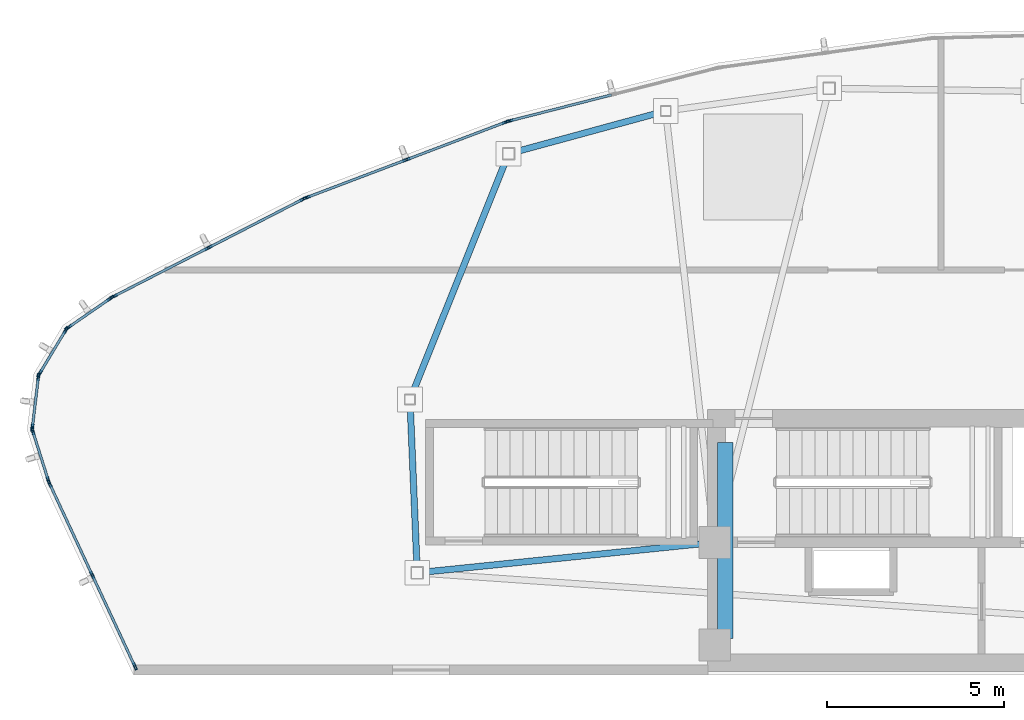
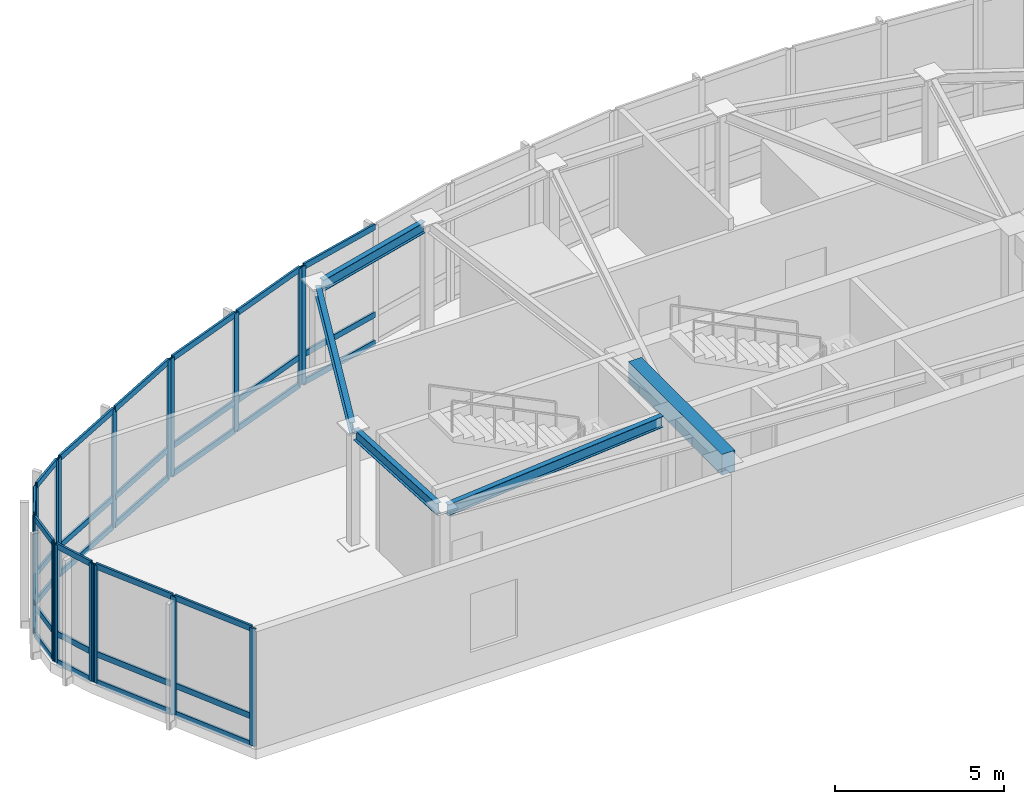
# One storey, part 2 of 10: 51 members, 5 beams, 8 elements without a shape of their own.
"""IFC4 building model written with IfcOpenShell, lengths in metres."""

from ifc_helpers import new_model, si_unit, direction, frame, origin, origin_2d, place, context, subcontext, project, spatial, rectangle, hollow_rectangle, i_section, extrude, source, transform, mapped, material, layer, layer_set, material_profile, profile_set, type_object, type_shapes, element, aggregate, save


model = new_model("IFC4")

# Units and contexts
model_context = context("Model", 3, precision=1e-05, world=origin(), true_north=direction((0.0, 1.0)))
body_context = subcontext(model_context, "Body", "Model", "MODEL_VIEW")
ifc_project = project(units=[si_unit("LENGTHUNIT", "METRE"), si_unit("AREAUNIT", "SQUARE_METRE"), si_unit("VOLUMEUNIT", "CUBIC_METRE"), si_unit("PLANEANGLEUNIT", "RADIAN"), si_unit("MASSUNIT", "GRAM", prefix="KILO")], contexts=[model_context])

# Site, building, storey
site_placement = place(None, origin())
site = spatial("IfcSite", under=ifc_project, at=site_placement, CompositionType="ELEMENT")
building_placement = place(site_placement, origin())
building = spatial("IfcBuilding", under=site, at=building_placement, Name="Tavelor Broadcast Tower", CompositionType="ELEMENT")
storey_placement = place(building_placement, frame((0.0, 0.0, 350.5)))
storey = spatial("IfcBuildingStorey", under=building, at=storey_placement, Name="L83", CompositionType="ELEMENT", Elevation=350.5)

# Beams
ifc_material_1 = material(Name="Concrete C40/50", Category="concrete")
ifc_material_profile_1 = material_profile(ifc_material_1, rectangle(XDim=0.449951171875, YDim=0.75, at=origin_2d()), Name="RC 450x750")
ifc_profile_set_1 = profile_set([ifc_material_profile_1], Name="Concrete C40/50")
beam_type_1 = type_object("IfcBeamType", Name="Basement Core Trim Beam 450x750", PredefinedType="BEAM", material=ifc_profile_set_1)
beam_1_placement = place(storey_placement, frame((43.39990234375, 45.23193359375, 3.875), z_axis=(0.0, 1.0, 0.0), x_axis=(-1.0, 0.0, 0.0)))
element("IfcBeam", 1, at=beam_1_placement, inside=storey, type_object=beam_type_1, Name="L83 Core West-N Tie Girder", PredefinedType="BEAM", context=body_context, shape_type="SweptSolid", body=[
    extrude(rectangle(XDim=0.449951171875, YDim=0.75, at=origin_2d()), origin(), (0.0, 0.0, 1.0), 5.5361328125),
])
ifc_material_2 = material(Name="Steel S355", Category="steel")
ifc_material_profile_2 = material_profile(ifc_material_2, i_section(OverallWidth=0.179931640625, OverallDepth=0.39990234375, WebThickness=0.008544921875, FlangeThickness=0.013427734375, at=origin_2d()), Name="IPE 400")
ifc_profile_set_2 = profile_set([ifc_material_profile_2], Name="Steel S355")
beam_type_2 = type_object("IfcBeamType", Name="Crown Ring Spandrel Beam IPE400", PredefinedType="SPANDREL", material=ifc_profile_set_2)
beam_2_placement = place(storey_placement, frame((37.20654296875, 58.77197265625, 4.050048828125), z_axis=(-0.372319972441, -0.928104432767, 0.0), x_axis=(0.928104432767, -0.372319972441, 0.0)))
element("IfcBeam", 2, at=beam_2_placement, inside=storey, type_object=beam_type_2, Name="L83 Crown Peak A Ring Spandrel 1", PredefinedType="SPANDREL", context=body_context, shape_type="SweptSolid", body=[
    extrude(i_section(OverallWidth=0.179931640625, OverallDepth=0.39990234375, WebThickness=0.008544921875, FlangeThickness=0.013427734375, at=origin_2d()), origin(), (0.0, 0.0, 1.0), 7.1552734375),
])
beam_3_placement = place(storey_placement, frame((34.49169921875, 51.836181640625, 4.050048828125), z_axis=(0.04186598698, -0.999123235209, 0.0), x_axis=(0.999123235209, 0.04186598698, 0.0)))
element("IfcBeam", 3, at=beam_3_placement, inside=storey, type_object=beam_type_2, Name="L83 Crown Peak A Ring Spandrel 2", PredefinedType="SPANDREL", context=body_context, shape_type="SweptSolid", body=[
    extrude(i_section(OverallWidth=0.179931640625, OverallDepth=0.39990234375, WebThickness=0.008544921875, FlangeThickness=0.013427734375, at=origin_2d()), origin(), (0.0, 0.0, 1.0), 4.57177734375),
])
beam_4_placement = place(storey_placement, frame((42.670166015625, 47.906005859375, 4.050048828125), z_axis=(-0.994811533422, -0.101735013494, 0.0), x_axis=(0.101735013494, -0.994811533422, 0.0)))
element("IfcBeam", 4, at=beam_4_placement, inside=storey, type_object=beam_type_2, Name="L83 Crown Peak A Radial Beam 3", PredefinedType="SPANDREL", context=body_context, shape_type="SweptSolid", body=[
    extrude(i_section(OverallWidth=0.179931640625, OverallDepth=0.39990234375, WebThickness=0.008544921875, FlangeThickness=0.013427734375, at=origin_2d()), origin(), (0.0, 0.0, 1.0), 7.842529296875),
])
beam_5_placement = place(storey_placement, frame((41.5673828125, 60.105712890625, 4.050048828125), z_axis=(-0.964933753027, -0.262493528053, 0.0), x_axis=(0.262493528053, -0.964933753027, 0.0)))
element("IfcBeam", 5, at=beam_5_placement, inside=storey, type_object=beam_type_2, Name="L83 Crown Peak A Ring Spandrel 10", PredefinedType="SPANDREL", context=body_context, shape_type="SweptSolid", body=[
    extrude(i_section(OverallWidth=0.179931640625, OverallDepth=0.39990234375, WebThickness=0.008544921875, FlangeThickness=0.013427734375, at=origin_2d()), origin(), (0.0, 0.0, 1.0), 4.27197265625),
])

# Curtain wall, member
ifc_material_3 = material(Name="Architectural Anodized Aluminium", Category="aluminium")
ifc_layer = layer(ifc_material_3, 0.2099609375)
ifc_layer_set = layer_set([ifc_layer], Name="Architectural Anodized Aluminium")
curtain_wall_type = type_object("IfcCurtainWallType", Name="Split-Crown Beacon Curtain Wall CW06", PredefinedType="NOTDEFINED", material=ifc_layer_set)
curtain_wall_1_placement = place(storey_placement, origin())
curtain_wall_1 = element("IfcCurtainWall", 6, at=curtain_wall_1_placement, inside=storey, type_object=curtain_wall_type, Name="L83 Curtain Wall CW06 Run 981", PredefinedType="NOTDEFINED")
ifc_material_profile_3 = material_profile(ifc_material_3, hollow_rectangle(XDim=0.072021484375, YDim=0.2099609375, WallThickness=0.02197265625, at=origin_2d()), Name="RHS 72x210x22")
ifc_profile_set_3 = profile_set([ifc_material_profile_3], Name="Architectural Anodized Aluminium")
member_type_1 = type_object("IfcMemberType", Name="CW06 Extruded Aluminium Mullion 72x210", PredefinedType="MULLION", material=ifc_profile_set_3)
shared_shape_1 = source(origin(), body_context, "Body", "SweptSolid", [
    extrude(hollow_rectangle(XDim=0.072021484375, YDim=0.2099609375, WallThickness=0.02197265625, at=origin_2d()), origin(), (0.0, 0.0, 1.0), 4.25),
])
type_shapes(member_type_1, [shared_shape_1])
member_1_placement = place(storey_placement, frame((37.298095703125, 59.865478515625, 0.0), z_axis=(0.0, 0.0, 1.0), x_axis=(0.247269295002, -0.968946797172, 0.0)))
member_1 = element("IfcMember", 7, at=member_1_placement, type_object=member_type_1, Name="CW06 mullion 3", PredefinedType="MULLION", context=body_context, shape_type="MappedRepresentation", body=[
    mapped(shared_shape_1, transform((0.0, 0.0, 0.0), scale=1.0)),
])

# Curtain wall, members
curtain_wall_2_placement = place(storey_placement, origin())
curtain_wall_2 = element("IfcCurtainWall", 8, at=curtain_wall_2_placement, inside=storey, type_object=curtain_wall_type, Name="L83 Curtain Wall CW06 Run 982", PredefinedType="NOTDEFINED")
member_2_placement = place(storey_placement, frame((37.200927734375, 59.834716796875, 0.0), z_axis=(0.0, 0.0, 1.0), x_axis=(0.354265291385, -0.9351449638, 0.0)))
member_2 = element("IfcMember", 9, at=member_2_placement, type_object=member_type_1, Name="CW06 mullion 1", PredefinedType="MULLION", context=body_context, shape_type="MappedRepresentation", body=[
    mapped(shared_shape_1, transform((0.0, 0.0, 0.0), scale=1.0)),
])
member_3_placement = place(storey_placement, frame((34.38232421875, 58.766845703125, 0.0), z_axis=(0.0, 0.0, 1.0), x_axis=(0.354265291385, -0.9351449638, 0.0)))
member_3 = element("IfcMember", 10, at=member_3_placement, type_object=member_type_1, Name="CW06 mullion 2", PredefinedType="MULLION", context=body_context, shape_type="MappedRepresentation", body=[
    mapped(shared_shape_1, transform((0.0, 0.0, 0.0), scale=1.0)),
])
member_4_placement = place(storey_placement, frame((31.563720703125, 57.69921875, 0.0), z_axis=(0.0, 0.0, 1.0), x_axis=(0.354265291385, -0.9351449638, 0.0)))
member_4 = element("IfcMember", 11, at=member_4_placement, type_object=member_type_1, Name="CW06 mullion 3", PredefinedType="MULLION", context=body_context, shape_type="MappedRepresentation", body=[
    mapped(shared_shape_1, transform((0.0, 0.0, 0.0), scale=1.0)),
])

curtain_wall_3_placement = place(storey_placement, origin())
curtain_wall_3 = element("IfcCurtainWall", 12, at=curtain_wall_3_placement, inside=storey, type_object=curtain_wall_type, Name="L83 Curtain Wall CW06 Run 983", PredefinedType="NOTDEFINED")
member_5_placement = place(storey_placement, frame((31.470703125, 57.65771484375, 0.0), z_axis=(0.0, 0.0, 1.0), x_axis=(0.456776280819, -0.889581603497, 0.0)))
member_5 = element("IfcMember", 13, at=member_5_placement, type_object=member_type_1, Name="CW06 mullion 1", PredefinedType="MULLION", context=body_context, shape_type="MappedRepresentation", body=[
    mapped(shared_shape_1, transform((0.0, 0.0, 0.0), scale=1.0)),
])
member_6_placement = place(storey_placement, frame((28.789794921875, 56.28125, 0.0), z_axis=(0.0, 0.0, 1.0), x_axis=(0.456776280819, -0.889581603497, 0.0)))
member_6 = element("IfcMember", 14, at=member_6_placement, type_object=member_type_1, Name="CW06 mullion 2", PredefinedType="MULLION", context=body_context, shape_type="MappedRepresentation", body=[
    mapped(shared_shape_1, transform((0.0, 0.0, 0.0), scale=1.0)),
])
member_7_placement = place(storey_placement, frame((26.109130859375, 54.90478515625, 0.0), z_axis=(0.0, 0.0, 1.0), x_axis=(0.456776280819, -0.889581603497, 0.0)))
member_7 = element("IfcMember", 15, at=member_7_placement, type_object=member_type_1, Name="CW06 mullion 3", PredefinedType="MULLION", context=body_context, shape_type="MappedRepresentation", body=[
    mapped(shared_shape_1, transform((0.0, 0.0, 0.0), scale=1.0)),
])

curtain_wall_4_placement = place(storey_placement, origin())
curtain_wall_4 = element("IfcCurtainWall", 16, at=curtain_wall_4_placement, inside=storey, type_object=curtain_wall_type, Name="L83 Curtain Wall CW06 Run 984", PredefinedType="NOTDEFINED")
member_8_placement = place(storey_placement, frame((26.021728515625, 54.8525390625, 0.0), z_axis=(0.0, 0.0, 1.0), x_axis=(0.568533946295, -0.822659803266, 0.0)))
member_8 = element("IfcMember", 17, at=member_8_placement, type_object=member_type_1, Name="CW06 mullion 1", PredefinedType="MULLION", context=body_context, shape_type="MappedRepresentation", body=[
    mapped(shared_shape_1, transform((0.0, 0.0, 0.0), scale=1.0)),
])
member_9_placement = place(storey_placement, frame((24.821533203125, 54.02294921875, 0.0), z_axis=(0.0, 0.0, 1.0), x_axis=(0.568533946295, -0.822659803266, 0.0)))
member_9 = element("IfcMember", 18, at=member_9_placement, type_object=member_type_1, Name="CW06 mullion 2", PredefinedType="MULLION", context=body_context, shape_type="MappedRepresentation", body=[
    mapped(shared_shape_1, transform((0.0, 0.0, 0.0), scale=1.0)),
])

curtain_wall_5_placement = place(storey_placement, origin())
curtain_wall_5 = element("IfcCurtainWall", 19, at=curtain_wall_5_placement, inside=storey, type_object=curtain_wall_type, Name="L83 Curtain Wall CW06 Run 985", PredefinedType="NOTDEFINED")
member_10_placement = place(storey_placement, frame((24.753173828125, 53.9501953125, 0.0), z_axis=(0.0, 0.0, 1.0), x_axis=(0.856697315988, -0.515819453665, 0.0)))
member_10 = element("IfcMember", 20, at=member_10_placement, type_object=member_type_1, Name="CW06 mullion 1", PredefinedType="MULLION", context=body_context, shape_type="MappedRepresentation", body=[
    mapped(shared_shape_1, transform((0.0, 0.0, 0.0), scale=1.0)),
])
member_11_placement = place(storey_placement, frame((24.011474609375, 52.718017578125, 0.0), z_axis=(0.0, 0.0, 1.0), x_axis=(0.856697315988, -0.515819453665, 0.0)))
member_11 = element("IfcMember", 21, at=member_11_placement, type_object=member_type_1, Name="CW06 mullion 2", PredefinedType="MULLION", context=body_context, shape_type="MappedRepresentation", body=[
    mapped(shared_shape_1, transform((0.0, 0.0, 0.0), scale=1.0)),
])

curtain_wall_6_placement = place(storey_placement, origin())
curtain_wall_6 = element("IfcCurtainWall", 22, at=curtain_wall_6_placement, inside=storey, type_object=curtain_wall_type, Name="L83 Curtain Wall CW06 Run 986", PredefinedType="NOTDEFINED")
member_12_placement = place(storey_placement, frame((23.97900390625, 52.62353515625, 0.0), z_axis=(0.0, 0.0, 1.0), x_axis=(0.993068549096, -0.11753661896, 0.0)))
member_12 = element("IfcMember", 23, at=member_12_placement, type_object=member_type_1, Name="CW06 mullion 1", PredefinedType="MULLION", context=body_context, shape_type="MappedRepresentation", body=[
    mapped(shared_shape_1, transform((0.0, 0.0, 0.0), scale=1.0)),
])
member_13_placement = place(storey_placement, frame((23.81005859375, 51.195556640625, 0.0), z_axis=(0.0, 0.0, 1.0), x_axis=(0.993068549096, -0.11753661896, 0.0)))
member_13 = element("IfcMember", 24, at=member_13_placement, type_object=member_type_1, Name="CW06 mullion 2", PredefinedType="MULLION", context=body_context, shape_type="MappedRepresentation", body=[
    mapped(shared_shape_1, transform((0.0, 0.0, 0.0), scale=1.0)),
])

curtain_wall_7_placement = place(storey_placement, origin())
curtain_wall_7 = element("IfcCurtainWall", 25, at=curtain_wall_7_placement, inside=storey, type_object=curtain_wall_type, Name="L83 Curtain Wall CW06 Run 987", PredefinedType="NOTDEFINED")
member_14_placement = place(storey_placement, frame((23.8193359375, 51.09619140625, 0.0), z_axis=(0.0, 0.0, 1.0), x_axis=(0.953455250793, 0.30153454982, 0.0)))
member_14 = element("IfcMember", 26, at=member_14_placement, type_object=member_type_1, Name="CW06 mullion 1", PredefinedType="MULLION", context=body_context, shape_type="MappedRepresentation", body=[
    mapped(shared_shape_1, transform((0.0, 0.0, 0.0), scale=1.0)),
])
member_15_placement = place(storey_placement, frame((24.259521484375, 49.704833984375, 0.0), z_axis=(0.0, 0.0, 1.0), x_axis=(0.953455250793, 0.30153454982, 0.0)))
member_15 = element("IfcMember", 27, at=member_15_placement, type_object=member_type_1, Name="CW06 mullion 2", PredefinedType="MULLION", context=body_context, shape_type="MappedRepresentation", body=[
    mapped(shared_shape_1, transform((0.0, 0.0, 0.0), scale=1.0)),
])

curtain_wall_8_placement = place(storey_placement, origin())
curtain_wall_8 = element("IfcCurtainWall", 28, at=curtain_wall_8_placement, inside=storey, type_object=curtain_wall_type, Name="L83 Curtain Wall CW06 Run 988", PredefinedType="NOTDEFINED")
member_16_placement = place(storey_placement, frame((24.29638671875, 49.610107421875, 0.0), z_axis=(0.0, 0.0, 1.0), x_axis=(0.906160564914, 0.422933837136, 0.0)))
member_16 = element("IfcMember", 29, at=member_16_placement, type_object=member_type_1, Name="CW06 mullion 1", PredefinedType="MULLION", context=body_context, shape_type="MappedRepresentation", body=[
    mapped(shared_shape_1, transform((0.0, 0.0, 0.0), scale=1.0)),
])
member_17_placement = place(storey_placement, frame((25.501708984375, 47.027587890625, 0.0), z_axis=(0.0, 0.0, 1.0), x_axis=(0.906160564914, 0.422933837136, 0.0)))
member_17 = element("IfcMember", 30, at=member_17_placement, type_object=member_type_1, Name="CW06 mullion 2", PredefinedType="MULLION", context=body_context, shape_type="MappedRepresentation", body=[
    mapped(shared_shape_1, transform((0.0, 0.0, 0.0), scale=1.0)),
])
member_18_placement = place(storey_placement, frame((26.70703125, 44.445068359375, 0.0), z_axis=(0.0, 0.0, 1.0), x_axis=(0.906160564914, 0.422933837136, 0.0)))
member_18 = element("IfcMember", 31, at=member_18_placement, type_object=member_type_1, Name="CW06 mullion 3", PredefinedType="MULLION", context=body_context, shape_type="MappedRepresentation", body=[
    mapped(shared_shape_1, transform((0.0, 0.0, 0.0), scale=1.0)),
])

# Member
ifc_material_profile_4 = material_profile(ifc_material_3, hollow_rectangle(XDim=0.072021484375, YDim=0.2099609375, WallThickness=0.02197265625, at=origin_2d()), Name="RHS 72x210x22")
ifc_profile_set_4 = profile_set([ifc_material_profile_4], Name="Architectural Anodized Aluminium")
member_type_2 = type_object("IfcMemberType", Name="CW06 Extruded Aluminium Transom 72x210", PredefinedType="USERDEFINED", material=ifc_profile_set_4)
shared_shape_2 = source(origin(), body_context, "Body", "SweptSolid", [
    extrude(hollow_rectangle(XDim=0.072021484375, YDim=0.2099609375, WallThickness=0.02197265625, at=origin_2d()), origin(), (0.0, 0.0, 1.0), 2.941650390625),
])
member_19_placement = place(storey_placement, frame((31.438720703125, 57.641357421875, 0.035888671875), z_axis=(-0.889561548915, -0.456815335438, 0.0), x_axis=(0.456815335438, -0.889561548915, 0.0)))
member_19 = element("IfcMember", 32, at=member_19_placement, type_object=member_type_2, Name="CW06 transom 1.1", ObjectType="TRANSOM", PredefinedType="USERDEFINED", context=body_context, shape_type="MappedRepresentation", body=[
    mapped(shared_shape_2, transform((0.0, 0.0, 0.0), scale=1.0)),
])

member_20_placement = place(storey_placement, frame((31.438720703125, 57.641357421875, 1.050048828125), z_axis=(-0.889561548915, -0.456815335438, 0.0), x_axis=(0.456815335438, -0.889561548915, 0.0)))
member_20 = element("IfcMember", 33, at=member_20_placement, type_object=member_type_2, Name="CW06 transom 1.2", ObjectType="TRANSOM", PredefinedType="USERDEFINED", context=body_context, shape_type="MappedRepresentation", body=[
    mapped(shared_shape_2, transform((0.0, 0.0, 0.0), scale=1.0)),
])

member_21_placement = place(storey_placement, frame((31.438720703125, 57.641357421875, 4.214111328125), z_axis=(-0.889561548915, -0.456815335438, 0.0), x_axis=(0.456815335438, -0.889561548915, 0.0)))
member_21 = element("IfcMember", 34, at=member_21_placement, type_object=member_type_2, Name="CW06 transom 1.3", ObjectType="TRANSOM", PredefinedType="USERDEFINED", context=body_context, shape_type="MappedRepresentation", body=[
    mapped(shared_shape_2, transform((0.0, 0.0, 0.0), scale=1.0)),
])

member_22_placement = place(storey_placement, frame((28.7578125, 56.264892578125, 0.035888671875), z_axis=(-0.889561548915, -0.456815335438, 0.0), x_axis=(0.456815335438, -0.889561548915, 0.0)))
member_22 = element("IfcMember", 35, at=member_22_placement, type_object=member_type_2, Name="CW06 transom 2.1", ObjectType="TRANSOM", PredefinedType="USERDEFINED", context=body_context, shape_type="MappedRepresentation", body=[
    mapped(shared_shape_2, transform((0.0, 0.0, 0.0), scale=1.0)),
])

member_23_placement = place(storey_placement, frame((28.7578125, 56.264892578125, 1.050048828125), z_axis=(-0.889561548915, -0.456815335438, 0.0), x_axis=(0.456815335438, -0.889561548915, 0.0)))
member_23 = element("IfcMember", 36, at=member_23_placement, type_object=member_type_2, Name="CW06 transom 2.2", ObjectType="TRANSOM", PredefinedType="USERDEFINED", context=body_context, shape_type="MappedRepresentation", body=[
    mapped(shared_shape_2, transform((0.0, 0.0, 0.0), scale=1.0)),
])

member_24_placement = place(storey_placement, frame((28.7578125, 56.264892578125, 4.214111328125), z_axis=(-0.889561548915, -0.456815335438, 0.0), x_axis=(0.456815335438, -0.889561548915, 0.0)))
member_24 = element("IfcMember", 37, at=member_24_placement, type_object=member_type_2, Name="CW06 transom 2.3", ObjectType="TRANSOM", PredefinedType="USERDEFINED", context=body_context, shape_type="MappedRepresentation", body=[
    mapped(shared_shape_2, transform((0.0, 0.0, 0.0), scale=1.0)),
])

aggregate(curtain_wall_3, [member_5, member_6, member_7, member_19, member_20, member_21, member_22, member_23, member_24])

shared_shape_3 = source(origin(), body_context, "Body", "SweptSolid", [
    extrude(hollow_rectangle(XDim=0.072021484375, YDim=0.2099609375, WallThickness=0.02197265625, at=origin_2d()), origin(), (0.0, 0.0, 1.0), 1.38720703125),
])
member_25_placement = place(storey_placement, frame((25.9921875, 54.83203125, 0.035888671875), z_axis=(-0.822591141549, -0.56863328591, 0.0), x_axis=(0.56863328591, -0.822591141549, 0.0)))
member_25 = element("IfcMember", 38, at=member_25_placement, type_object=member_type_2, Name="CW06 transom 1.1", ObjectType="TRANSOM", PredefinedType="USERDEFINED", context=body_context, shape_type="MappedRepresentation", body=[
    mapped(shared_shape_3, transform((0.0, 0.0, 0.0), scale=1.0)),
])

member_26_placement = place(storey_placement, frame((25.9921875, 54.83203125, 1.050048828125), z_axis=(-0.822591141549, -0.56863328591, 0.0), x_axis=(0.56863328591, -0.822591141549, 0.0)))
member_26 = element("IfcMember", 39, at=member_26_placement, type_object=member_type_2, Name="CW06 transom 1.2", ObjectType="TRANSOM", PredefinedType="USERDEFINED", context=body_context, shape_type="MappedRepresentation", body=[
    mapped(shared_shape_3, transform((0.0, 0.0, 0.0), scale=1.0)),
])

member_27_placement = place(storey_placement, frame((25.9921875, 54.83203125, 4.214111328125), z_axis=(-0.822591141549, -0.56863328591, 0.0), x_axis=(0.56863328591, -0.822591141549, 0.0)))
member_27 = element("IfcMember", 40, at=member_27_placement, type_object=member_type_2, Name="CW06 transom 1.3", ObjectType="TRANSOM", PredefinedType="USERDEFINED", context=body_context, shape_type="MappedRepresentation", body=[
    mapped(shared_shape_3, transform((0.0, 0.0, 0.0), scale=1.0)),
])

aggregate(curtain_wall_4, [member_8, member_9, member_25, member_26, member_27])

shared_shape_4 = source(origin(), body_context, "Body", "SweptSolid", [
    extrude(hollow_rectangle(XDim=0.072021484375, YDim=0.2099609375, WallThickness=0.02197265625, at=origin_2d()), origin(), (0.0, 0.0, 1.0), 1.3662109375),
])
member_28_placement = place(storey_placement, frame((23.974853515625, 52.587890625, 0.035888671875), z_axis=(-0.117587749228, -0.993062496136, 0.0), x_axis=(0.993062496136, -0.117587749228, 0.0)))
member_28 = element("IfcMember", 41, at=member_28_placement, type_object=member_type_2, Name="CW06 transom 1.1", ObjectType="TRANSOM", PredefinedType="USERDEFINED", context=body_context, shape_type="MappedRepresentation", body=[
    mapped(shared_shape_4, transform((0.0, 0.0, 0.0), scale=1.0)),
])

member_29_placement = place(storey_placement, frame((23.974853515625, 52.587890625, 1.050048828125), z_axis=(-0.117587749228, -0.993062496136, 0.0), x_axis=(0.993062496136, -0.117587749228, 0.0)))
member_29 = element("IfcMember", 42, at=member_29_placement, type_object=member_type_2, Name="CW06 transom 1.2", ObjectType="TRANSOM", PredefinedType="USERDEFINED", context=body_context, shape_type="MappedRepresentation", body=[
    mapped(shared_shape_4, transform((0.0, 0.0, 0.0), scale=1.0)),
])

member_30_placement = place(storey_placement, frame((23.974853515625, 52.587890625, 4.214111328125), z_axis=(-0.117587749228, -0.993062496136, 0.0), x_axis=(0.993062496136, -0.117587749228, 0.0)))
member_30 = element("IfcMember", 43, at=member_30_placement, type_object=member_type_2, Name="CW06 transom 1.3", ObjectType="TRANSOM", PredefinedType="USERDEFINED", context=body_context, shape_type="MappedRepresentation", body=[
    mapped(shared_shape_4, transform((0.0, 0.0, 0.0), scale=1.0)),
])

aggregate(curtain_wall_6, [member_12, member_13, member_28, member_29, member_30])

shared_shape_5 = source(origin(), body_context, "Body", "SweptSolid", [
    extrude(hollow_rectangle(XDim=0.072021484375, YDim=0.2099609375, WallThickness=0.02197265625, at=origin_2d()), origin(), (0.0, 0.0, 1.0), 2.942138671875),
])
member_31_placement = place(storey_placement, frame((40.183837890625, 60.601806640625, 0.035888671875), z_axis=(-0.968944788458, -0.24727716619, 0.0), x_axis=(0.24727716619, -0.968944788458, 0.0)))
member_31 = element("IfcMember", 44, at=member_31_placement, type_object=member_type_2, Name="CW06 transom 2.1", ObjectType="TRANSOM", PredefinedType="USERDEFINED", context=body_context, shape_type="MappedRepresentation", body=[
    mapped(shared_shape_5, transform((0.0, 0.0, 0.0), scale=1.0)),
])

member_32_placement = place(storey_placement, frame((40.183837890625, 60.601806640625, 1.050048828125), z_axis=(-0.968944788458, -0.24727716619, 0.0), x_axis=(0.24727716619, -0.968944788458, 0.0)))
member_32 = element("IfcMember", 45, at=member_32_placement, type_object=member_type_2, Name="CW06 transom 2.2", ObjectType="TRANSOM", PredefinedType="USERDEFINED", context=body_context, shape_type="MappedRepresentation", body=[
    mapped(shared_shape_5, transform((0.0, 0.0, 0.0), scale=1.0)),
])

member_33_placement = place(storey_placement, frame((40.183837890625, 60.601806640625, 4.214111328125), z_axis=(-0.968944788458, -0.24727716619, 0.0), x_axis=(0.24727716619, -0.968944788458, 0.0)))
member_33 = element("IfcMember", 46, at=member_33_placement, type_object=member_type_2, Name="CW06 transom 2.3", ObjectType="TRANSOM", PredefinedType="USERDEFINED", context=body_context, shape_type="MappedRepresentation", body=[
    mapped(shared_shape_5, transform((0.0, 0.0, 0.0), scale=1.0)),
])

aggregate(curtain_wall_1, [member_1, member_31, member_32, member_33])

member_34_placement = place(storey_placement, frame((37.16748046875, 59.822021484375, 0.035888671875), z_axis=(-0.935157779397, -0.354231460536, 0.0), x_axis=(0.354231460536, -0.935157779397, 0.0)))
member_34 = element("IfcMember", 47, at=member_34_placement, type_object=member_type_2, Name="CW06 transom 1.1", ObjectType="TRANSOM", PredefinedType="USERDEFINED", context=body_context, shape_type="MappedRepresentation", body=[
    mapped(shared_shape_5, transform((0.0, 0.0, 0.0), scale=1.0)),
])

member_35_placement = place(storey_placement, frame((37.16748046875, 59.822021484375, 1.050048828125), z_axis=(-0.935157779397, -0.354231460536, 0.0), x_axis=(0.354231460536, -0.935157779397, 0.0)))
member_35 = element("IfcMember", 48, at=member_35_placement, type_object=member_type_2, Name="CW06 transom 1.2", ObjectType="TRANSOM", PredefinedType="USERDEFINED", context=body_context, shape_type="MappedRepresentation", body=[
    mapped(shared_shape_5, transform((0.0, 0.0, 0.0), scale=1.0)),
])

member_36_placement = place(storey_placement, frame((37.16748046875, 59.822021484375, 4.214111328125), z_axis=(-0.935157779397, -0.354231460536, 0.0), x_axis=(0.354231460536, -0.935157779397, 0.0)))
member_36 = element("IfcMember", 49, at=member_36_placement, type_object=member_type_2, Name="CW06 transom 1.3", ObjectType="TRANSOM", PredefinedType="USERDEFINED", context=body_context, shape_type="MappedRepresentation", body=[
    mapped(shared_shape_5, transform((0.0, 0.0, 0.0), scale=1.0)),
])

member_37_placement = place(storey_placement, frame((34.3486328125, 58.754150390625, 0.035888671875), z_axis=(-0.935147366159, -0.354258949874, 0.0), x_axis=(0.354258949874, -0.935147366159, 0.0)))
member_37 = element("IfcMember", 50, at=member_37_placement, type_object=member_type_2, Name="CW06 transom 2.1", ObjectType="TRANSOM", PredefinedType="USERDEFINED", context=body_context, shape_type="MappedRepresentation", body=[
    mapped(shared_shape_5, transform((0.0, 0.0, 0.0), scale=1.0)),
])

member_38_placement = place(storey_placement, frame((34.3486328125, 58.754150390625, 1.050048828125), z_axis=(-0.935147366159, -0.354258949874, 0.0), x_axis=(0.354258949874, -0.935147366159, 0.0)))
member_38 = element("IfcMember", 51, at=member_38_placement, type_object=member_type_2, Name="CW06 transom 2.2", ObjectType="TRANSOM", PredefinedType="USERDEFINED", context=body_context, shape_type="MappedRepresentation", body=[
    mapped(shared_shape_5, transform((0.0, 0.0, 0.0), scale=1.0)),
])

member_39_placement = place(storey_placement, frame((34.3486328125, 58.754150390625, 4.214111328125), z_axis=(-0.935147366159, -0.354258949874, 0.0), x_axis=(0.354258949874, -0.935147366159, 0.0)))
member_39 = element("IfcMember", 52, at=member_39_placement, type_object=member_type_2, Name="CW06 transom 2.3", ObjectType="TRANSOM", PredefinedType="USERDEFINED", context=body_context, shape_type="MappedRepresentation", body=[
    mapped(shared_shape_5, transform((0.0, 0.0, 0.0), scale=1.0)),
])

aggregate(curtain_wall_2, [member_2, member_3, member_4, member_34, member_35, member_36, member_37, member_38, member_39])

shared_shape_6 = source(origin(), body_context, "Body", "SweptSolid", [
    extrude(hollow_rectangle(XDim=0.072021484375, YDim=0.2099609375, WallThickness=0.02197265625, at=origin_2d()), origin(), (0.0, 0.0, 1.0), 1.386962890625),
])
member_40_placement = place(storey_placement, frame((23.830322265625, 51.061767578125, 0.035888671875), z_axis=(0.301510415146, -0.953462883157, 0.0), x_axis=(0.953462883157, 0.301510415146, 0.0)))
member_40 = element("IfcMember", 53, at=member_40_placement, type_object=member_type_2, Name="CW06 transom 1.1", ObjectType="TRANSOM", PredefinedType="USERDEFINED", context=body_context, shape_type="MappedRepresentation", body=[
    mapped(shared_shape_6, transform((0.0, 0.0, 0.0), scale=1.0)),
])

member_41_placement = place(storey_placement, frame((23.830322265625, 51.061767578125, 1.050048828125), z_axis=(0.301510415146, -0.953462883157, 0.0), x_axis=(0.953462883157, 0.301510415146, 0.0)))
member_41 = element("IfcMember", 54, at=member_41_placement, type_object=member_type_2, Name="CW06 transom 1.2", ObjectType="TRANSOM", PredefinedType="USERDEFINED", context=body_context, shape_type="MappedRepresentation", body=[
    mapped(shared_shape_6, transform((0.0, 0.0, 0.0), scale=1.0)),
])

member_42_placement = place(storey_placement, frame((23.830322265625, 51.061767578125, 4.214111328125), z_axis=(0.301510415146, -0.953462883157, 0.0), x_axis=(0.953462883157, 0.301510415146, 0.0)))
member_42 = element("IfcMember", 55, at=member_42_placement, type_object=member_type_2, Name="CW06 transom 1.3", ObjectType="TRANSOM", PredefinedType="USERDEFINED", context=body_context, shape_type="MappedRepresentation", body=[
    mapped(shared_shape_6, transform((0.0, 0.0, 0.0), scale=1.0)),
])

aggregate(curtain_wall_7, [member_14, member_15, member_40, member_41, member_42])

shared_shape_7 = source(origin(), body_context, "Body", "SweptSolid", [
    extrude(hollow_rectangle(XDim=0.072021484375, YDim=0.2099609375, WallThickness=0.02197265625, at=origin_2d()), origin(), (0.0, 0.0, 1.0), 1.366455078125),
])
member_43_placement = place(storey_placement, frame((24.734619140625, 53.91943359375, 0.035888671875), z_axis=(-0.515677724042, -0.856782635752, 0.0), x_axis=(0.856782635752, -0.515677724042, 0.0)))
member_43 = element("IfcMember", 56, at=member_43_placement, type_object=member_type_2, Name="CW06 transom 1.1", ObjectType="TRANSOM", PredefinedType="USERDEFINED", context=body_context, shape_type="MappedRepresentation", body=[
    mapped(shared_shape_7, transform((0.0, 0.0, 0.0), scale=1.0)),
])

member_44_placement = place(storey_placement, frame((24.734619140625, 53.91943359375, 1.050048828125), z_axis=(-0.515677724042, -0.856782635752, 0.0), x_axis=(0.856782635752, -0.515677724042, 0.0)))
member_44 = element("IfcMember", 57, at=member_44_placement, type_object=member_type_2, Name="CW06 transom 1.2", ObjectType="TRANSOM", PredefinedType="USERDEFINED", context=body_context, shape_type="MappedRepresentation", body=[
    mapped(shared_shape_7, transform((0.0, 0.0, 0.0), scale=1.0)),
])

member_45_placement = place(storey_placement, frame((24.734619140625, 53.91943359375, 4.214111328125), z_axis=(-0.515677724042, -0.856782635752, 0.0), x_axis=(0.856782635752, -0.515677724042, 0.0)))
member_45 = element("IfcMember", 58, at=member_45_placement, type_object=member_type_2, Name="CW06 transom 1.3", ObjectType="TRANSOM", PredefinedType="USERDEFINED", context=body_context, shape_type="MappedRepresentation", body=[
    mapped(shared_shape_7, transform((0.0, 0.0, 0.0), scale=1.0)),
])

aggregate(curtain_wall_5, [member_10, member_11, member_43, member_44, member_45])

shared_shape_8 = source(origin(), body_context, "Body", "SweptSolid", [
    extrude(hollow_rectangle(XDim=0.072021484375, YDim=0.2099609375, WallThickness=0.02197265625, at=origin_2d()), origin(), (0.0, 0.0, 1.0), 2.77783203125),
])
type_shapes(member_type_2, [shared_shape_2, shared_shape_3, shared_shape_4, shared_shape_5, shared_shape_6, shared_shape_7, shared_shape_8])
member_46_placement = place(storey_placement, frame((24.311767578125, 49.577392578125, 0.035888671875), z_axis=(0.422933580484, -0.906160684702, 0.0), x_axis=(0.906160684702, 0.422933580484, 0.0)))
member_46 = element("IfcMember", 59, at=member_46_placement, type_object=member_type_2, Name="CW06 transom 1.1", ObjectType="TRANSOM", PredefinedType="USERDEFINED", context=body_context, shape_type="MappedRepresentation", body=[
    mapped(shared_shape_8, transform((0.0, 0.0, 0.0), scale=1.0)),
])

member_47_placement = place(storey_placement, frame((24.311767578125, 49.577392578125, 1.050048828125), z_axis=(0.422933580484, -0.906160684702, 0.0), x_axis=(0.906160684702, 0.422933580484, 0.0)))
member_47 = element("IfcMember", 60, at=member_47_placement, type_object=member_type_2, Name="CW06 transom 1.2", ObjectType="TRANSOM", PredefinedType="USERDEFINED", context=body_context, shape_type="MappedRepresentation", body=[
    mapped(shared_shape_8, transform((0.0, 0.0, 0.0), scale=1.0)),
])

member_48_placement = place(storey_placement, frame((24.311767578125, 49.577392578125, 4.214111328125), z_axis=(0.422933580484, -0.906160684702, 0.0), x_axis=(0.906160684702, 0.422933580484, 0.0)))
member_48 = element("IfcMember", 61, at=member_48_placement, type_object=member_type_2, Name="CW06 transom 1.3", ObjectType="TRANSOM", PredefinedType="USERDEFINED", context=body_context, shape_type="MappedRepresentation", body=[
    mapped(shared_shape_8, transform((0.0, 0.0, 0.0), scale=1.0)),
])

member_49_placement = place(storey_placement, frame((25.51708984375, 46.994873046875, 0.035888671875), z_axis=(0.422933580484, -0.906160684702, 0.0), x_axis=(0.906160684702, 0.422933580484, 0.0)))
member_49 = element("IfcMember", 62, at=member_49_placement, type_object=member_type_2, Name="CW06 transom 2.1", ObjectType="TRANSOM", PredefinedType="USERDEFINED", context=body_context, shape_type="MappedRepresentation", body=[
    mapped(shared_shape_8, transform((0.0, 0.0, 0.0), scale=1.0)),
])

member_50_placement = place(storey_placement, frame((25.51708984375, 46.994873046875, 1.050048828125), z_axis=(0.422933580484, -0.906160684702, 0.0), x_axis=(0.906160684702, 0.422933580484, 0.0)))
member_50 = element("IfcMember", 63, at=member_50_placement, type_object=member_type_2, Name="CW06 transom 2.2", ObjectType="TRANSOM", PredefinedType="USERDEFINED", context=body_context, shape_type="MappedRepresentation", body=[
    mapped(shared_shape_8, transform((0.0, 0.0, 0.0), scale=1.0)),
])

member_51_placement = place(storey_placement, frame((25.51708984375, 46.994873046875, 4.214111328125), z_axis=(0.422933580484, -0.906160684702, 0.0), x_axis=(0.906160684702, 0.422933580484, 0.0)))
member_51 = element("IfcMember", 64, at=member_51_placement, type_object=member_type_2, Name="CW06 transom 2.3", ObjectType="TRANSOM", PredefinedType="USERDEFINED", context=body_context, shape_type="MappedRepresentation", body=[
    mapped(shared_shape_8, transform((0.0, 0.0, 0.0), scale=1.0)),
])

aggregate(curtain_wall_8, [member_16, member_17, member_18, member_46, member_47, member_48, member_49, member_50, member_51])

save(model, "model.ifc")
